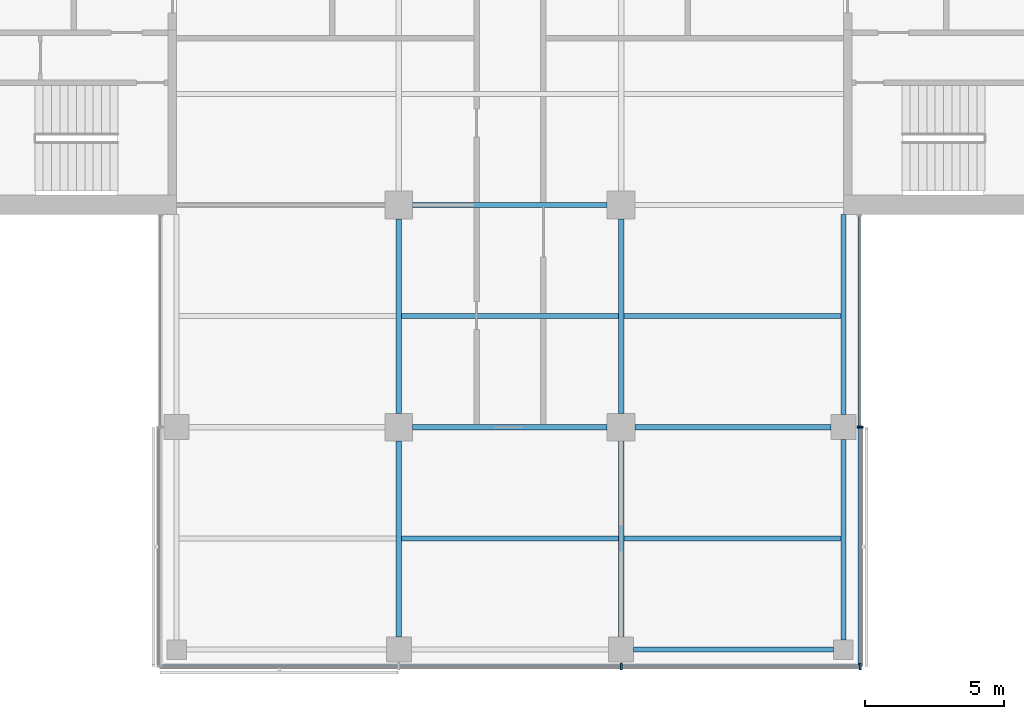
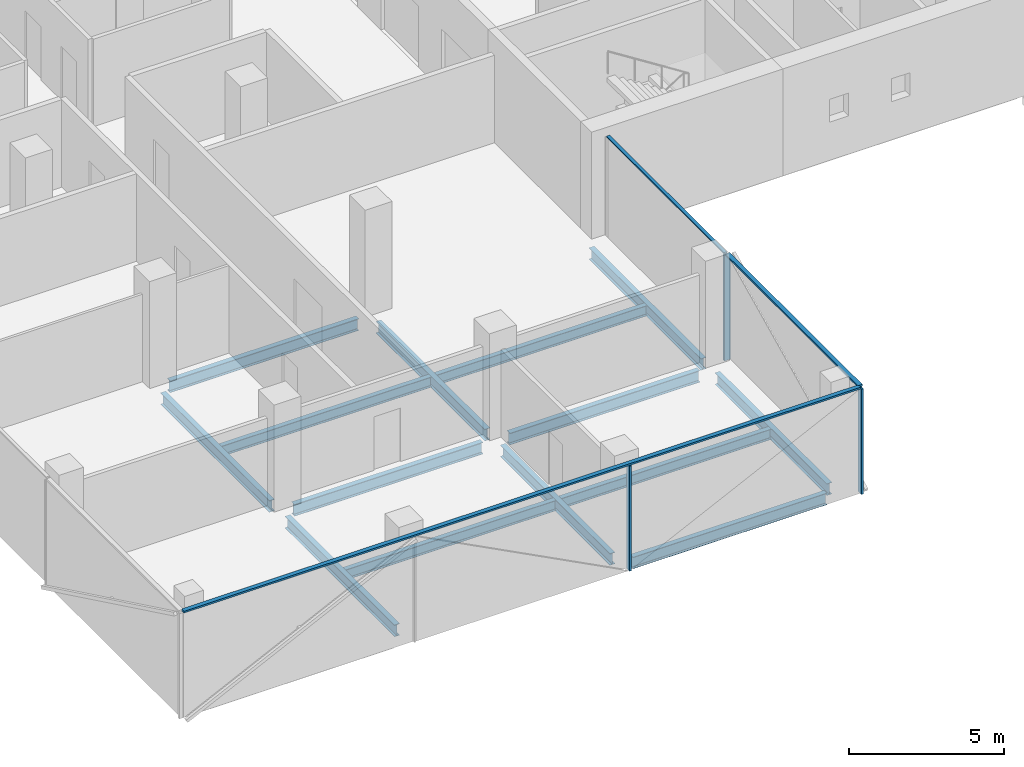
# One storey, part 5 of 22: 14 beams, 7 members, 3 elements without a shape of their own.
"""IFC4 building model written with IfcOpenShell, lengths in metres."""

from ifc_helpers import new_model, si_unit, direction, frame, origin, origin_2d, place, context, subcontext, project, spatial, rectangle, i_section, extrude, material, material_profile, profile_set, type_object, element, aggregate, save


model = new_model("IFC4")

# Units and contexts
model_context = context("Model", 3, precision=1e-05, world=origin(), true_north=direction((0.0, 1.0)))
body_context = subcontext(model_context, "Body", "Model", "MODEL_VIEW")
ifc_project = project(units=[si_unit("LENGTHUNIT", "METRE"), si_unit("AREAUNIT", "SQUARE_METRE"), si_unit("VOLUMEUNIT", "CUBIC_METRE"), si_unit("PLANEANGLEUNIT", "RADIAN"), si_unit("MASSUNIT", "GRAM", prefix="KILO")], contexts=[model_context])

# Site, building, storey
site_placement = place(None, origin())
site = spatial("IfcSite", under=ifc_project, at=site_placement, CompositionType="ELEMENT")
building_placement = place(site_placement, origin())
building = spatial("IfcBuilding", under=site, at=building_placement, Name="Crosswind Convention Tower", CompositionType="ELEMENT")
storey_placement = place(building_placement, frame((0.0, 0.0, 150.5)))
storey = spatial("IfcBuildingStorey", under=building, at=storey_placement, Name="L31", CompositionType="ELEMENT", Elevation=150.5)

# Beams
ifc_material_1 = material(Name="Steel S355", Category="steel")
ifc_material_profile_1 = material_profile(ifc_material_1, i_section(OverallWidth=0.18994140625, OverallDepth=0.45361328125, WebThickness=0.008544921875, FlangeThickness=0.0126953125, FilletRadius=0.01025390625, at=origin_2d()), Name="UB 457x191x67")
ifc_profile_set_1 = profile_set([ifc_material_profile_1], Name="Steel S355")
beam_type_1 = type_object("IfcBeamType", Name="Edge beam UB 457x191x67", PredefinedType="SPANDREL", material=ifc_profile_set_1)
for number, where, z_axis, x_axis, name in (
    (1, (129.449951171875, 72.0, -0.52685546875), (1.0, 0.0, 0.0), (0.0, 1.0, 0.0), "B16 L31 edge beam 14"),
    (2, (137.0, 72.35009765625, -0.52685546875), (0.0, 1.0, 0.0), (-1.0, 0.0, 0.0), "B16 L31 edge beam 16"),
    (3, (137.0, 80.449951171875, -0.52685546875), (0.0, 1.0, 0.0), (-1.0, 0.0, 0.0), "B16 L31 edge beam 17"),
):
    element("IfcBeam", number, at=place(storey_placement, frame(where, z_axis=z_axis, x_axis=x_axis)), inside=storey, type_object=beam_type_1, Name=name, PredefinedType="SPANDREL", context=body_context, shape_type="SweptSolid", body=[
        extrude(i_section(OverallWidth=0.18994140625, OverallDepth=0.45361328125, WebThickness=0.008544921875, FlangeThickness=0.0126953125, FilletRadius=0.01025390625, at=origin_2d()), origin(), (0.0, 0.0, 1.0), 7.199951171875),
    ])
ifc_material_profile_2 = material_profile(ifc_material_1, i_section(OverallWidth=0.19140625, OverallDepth=0.460205078125, WebThickness=0.010009765625, FlangeThickness=0.01611328125, FilletRadius=0.01025390625, at=origin_2d()), Name="UB 457x191x82")
ifc_profile_set_2 = profile_set([ifc_material_profile_2], Name="Steel S355")
beam_type_2 = type_object("IfcBeamType", Name="Girder UB 457x191x82", PredefinedType="BEAM", material=ifc_profile_set_2)
beam_1_placement = place(storey_placement, frame((121.0, 72.449951171875, -0.530029296875), z_axis=(0.0, 1.0, 0.0), x_axis=(-1.0, 0.0, 0.0)))
element("IfcBeam", 4, at=beam_1_placement, inside=storey, type_object=beam_type_2, Name="B3 L31 girder 3", PredefinedType="BEAM", context=body_context, shape_type="SweptSolid", body=[
    extrude(i_section(OverallWidth=0.19140625, OverallDepth=0.460205078125, WebThickness=0.010009765625, FlangeThickness=0.01611328125, FilletRadius=0.01025390625, at=origin_2d()), origin(), (0.0, 0.0, 1.0), 7.050048828125),
])
for number, where, z_axis, x_axis, name in (
    (5, (121.0, 80.5, -0.530029296875), (0.0, 1.0, 0.0), (-1.0, 0.0, 0.0), "B3 L31 girder 4"),
    (6, (121.5, 80.0, -0.530029296875), (1.0, 0.0, 0.0), (0.0, 1.0, 0.0), "B3 L31 girder 10"),
    (7, (121.5, 88.0, -0.530029296875), (1.0, 0.0, 0.0), (0.0, 1.0, 0.0), "B3 L31 girder 11"),
):
    element("IfcBeam", number, at=place(storey_placement, frame(where, z_axis=z_axis, x_axis=x_axis)), inside=storey, type_object=beam_type_2, Name=name, PredefinedType="BEAM", context=body_context, shape_type="SweptSolid", body=[
        extrude(i_section(OverallWidth=0.19140625, OverallDepth=0.460205078125, WebThickness=0.010009765625, FlangeThickness=0.01611328125, FilletRadius=0.01025390625, at=origin_2d()), origin(), (0.0, 0.0, 1.0), 7.0),
    ])
beam_2_placement = place(storey_placement, frame((129.0, 72.449951171875, -0.530029296875), z_axis=(0.0, 1.0, 0.0), x_axis=(-1.0, 0.0, 0.0)))
element("IfcBeam", 8, at=beam_2_placement, inside=storey, type_object=beam_type_2, Name="B3 L31 girder 16", PredefinedType="BEAM", context=body_context, shape_type="SweptSolid", body=[
    extrude(i_section(OverallWidth=0.19140625, OverallDepth=0.460205078125, WebThickness=0.010009765625, FlangeThickness=0.01611328125, FilletRadius=0.01025390625, at=origin_2d()), origin(), (0.0, 0.0, 1.0), 7.050048828125),
])
beam_3_placement = place(storey_placement, frame((129.0, 80.5, -0.530029296875), z_axis=(0.0, 1.0, 0.0), x_axis=(-1.0, 0.0, 0.0)))
element("IfcBeam", 9, at=beam_3_placement, inside=storey, type_object=beam_type_2, Name="B3 L31 girder 17", PredefinedType="BEAM", context=body_context, shape_type="SweptSolid", body=[
    extrude(i_section(OverallWidth=0.19140625, OverallDepth=0.460205078125, WebThickness=0.010009765625, FlangeThickness=0.01611328125, FilletRadius=0.01025390625, at=origin_2d()), origin(), (0.0, 0.0, 1.0), 7.0),
])
beam_4_placement = place(storey_placement, frame((129.5, 80.0, -0.530029296875), z_axis=(1.0, 0.0, 0.0), x_axis=(0.0, 1.0, 0.0)))
element("IfcBeam", 10, at=beam_4_placement, inside=storey, type_object=beam_type_2, Name="B3 L31 girder 23", PredefinedType="BEAM", context=body_context, shape_type="SweptSolid", body=[
    extrude(i_section(OverallWidth=0.19140625, OverallDepth=0.460205078125, WebThickness=0.010009765625, FlangeThickness=0.01611328125, FilletRadius=0.01025390625, at=origin_2d()), origin(), (0.0, 0.0, 1.0), 7.050048828125),
])

# Curtain wall, member
ifc_material_2 = material(Name="Aluminium unitised curtain wall", Category="aluminium")
curtain_wall_type_1 = type_object("IfcCurtainWallType", Name="CORE END SLOT WALL 160", PredefinedType="USERDEFINED", material=ifc_material_2)
curtain_wall_1_placement = place(storey_placement, origin())
curtain_wall_1 = element("IfcCurtainWall", 11, at=curtain_wall_1_placement, inside=storey, type_object=curtain_wall_type_1, Name="CW6 L31 S-E.1-2 slot", ObjectType="UNITISED", PredefinedType="USERDEFINED")
ifc_material_3 = material(Name="Aluminium mullion", Category="aluminium")
ifc_material_profile_3 = material_profile(ifc_material_3, rectangle(XDim=0.159912109375, YDim=0.050048828125, at=origin_2d()), Name="AL 160X50")
ifc_profile_set_3 = profile_set([ifc_material_profile_3], Name="Aluminium mullion")
member_type_1 = type_object("IfcMemberType", Name="MULLION 50X160", PredefinedType="MULLION", material=ifc_profile_set_3)
member_1_placement = place(storey_placement, frame((137.580078125, 80.02490234375, -0.300048828125), z_axis=(0.0, 0.0, 1.0), x_axis=(1.0, 0.0, 0.0)))
member_1 = element("IfcMember", 12, at=member_1_placement, type_object=member_type_1, Name="CW6 mullion 1", PredefinedType="MULLION", context=body_context, shape_type="SweptSolid", body=[
    extrude(rectangle(XDim=0.159912109375, YDim=0.050048828125, at=origin_2d()), origin(), (0.0, 0.0, 1.0), 4.150146484375),
])

# Curtain wall, members
curtain_wall_type_2 = type_object("IfcCurtainWallType", Name="OFFICE UNITISED WALL 220", PredefinedType="USERDEFINED", material=ifc_material_2)
curtain_wall_2_placement = place(storey_placement, origin())
curtain_wall_2 = element("IfcCurtainWall", 13, at=curtain_wall_2_placement, inside=storey, type_object=curtain_wall_type_2, Name="CW3 L31 S-TIP 1", ObjectType="UNITISED", PredefinedType="USERDEFINED")
ifc_material_profile_4 = material_profile(ifc_material_3, rectangle(XDim=0.219970703125, YDim=0.070068359375, at=origin_2d()), Name="AL 220X70")
ifc_profile_set_4 = profile_set([ifc_material_profile_4], Name="Aluminium mullion")
member_type_2 = type_object("IfcMemberType", Name="MULLION 70X220", PredefinedType="MULLION", material=ifc_profile_set_4)
member_2_placement = place(storey_placement, frame((129.0, 71.389892578125, -0.300048828125), z_axis=(0.0, 0.0, 1.0), x_axis=(0.0, -1.0, 0.0)))
member_2 = element("IfcMember", 14, at=member_2_placement, type_object=member_type_2, Name="CW3 mullion 3", PredefinedType="MULLION", context=body_context, shape_type="SweptSolid", body=[
    extrude(rectangle(XDim=0.219970703125, YDim=0.070068359375, at=origin_2d()), origin(), (0.0, 0.0, 1.0), 4.130126953125),
])
member_3_placement = place(storey_placement, frame((137.610107421875, 71.389892578125, -0.300048828125), z_axis=(0.0, 0.0, 1.0), x_axis=(0.0, -1.0, 0.0)))
member_3 = element("IfcMember", 15, at=member_3_placement, type_object=member_type_2, Name="CW3 mullion 4", PredefinedType="MULLION", context=body_context, shape_type="SweptSolid", body=[
    extrude(rectangle(XDim=0.219970703125, YDim=0.070068359375, at=origin_2d()), origin(), (0.0, 0.0, 1.0), 4.130126953125),
])

# Curtain wall, member
curtain_wall_3_placement = place(storey_placement, origin())
curtain_wall_3 = element("IfcCurtainWall", 16, at=curtain_wall_3_placement, inside=storey, type_object=curtain_wall_type_2, Name="CW3 L31 S-E 1", ObjectType="UNITISED", PredefinedType="USERDEFINED")
member_4_placement = place(storey_placement, frame((137.610107421875, 80.0, -0.300048828125), z_axis=(0.0, 0.0, 1.0), x_axis=(1.0, 0.0, 0.0)))
member_4 = element("IfcMember", 17, at=member_4_placement, type_object=member_type_2, Name="CW3 mullion 2", PredefinedType="MULLION", context=body_context, shape_type="SweptSolid", body=[
    extrude(rectangle(XDim=0.219970703125, YDim=0.070068359375, at=origin_2d()), origin(), (0.0, 0.0, 1.0), 4.130126953125),
])

# Beams
ifc_material_profile_5 = material_profile(ifc_material_1, i_section(OverallWidth=0.177734375, OverallDepth=0.406494140625, WebThickness=0.0078125, FlangeThickness=0.0126953125, FilletRadius=0.01025390625, at=origin_2d()), Name="UB 406x178x60")
ifc_profile_set_5 = profile_set([ifc_material_profile_5], Name="Steel S355")
beam_type_3 = type_object("IfcBeamType", Name="Secondary beam UB 406x178x60", PredefinedType="JOIST", material=ifc_profile_set_5)
for number, where, z_axis, x_axis, name in (
    (18, (121.095703125, 76.0, -0.503173828125), (1.0, 0.0, 0.0), (0.0, 1.0, 0.0), "B10 L31 secondary beam 11"),
    (19, (121.095703125, 84.0, -0.503173828125), (1.0, 0.0, 0.0), (0.0, 1.0, 0.0), "B10 L31 secondary beam 12"),
):
    element("IfcBeam", number, at=place(storey_placement, frame(where, z_axis=z_axis, x_axis=x_axis)), inside=storey, type_object=beam_type_3, Name=name, PredefinedType="JOIST", context=body_context, shape_type="SweptSolid", body=[
        extrude(i_section(OverallWidth=0.177734375, OverallDepth=0.406494140625, WebThickness=0.0078125, FlangeThickness=0.0126953125, FilletRadius=0.01025390625, at=origin_2d()), origin(), (0.0, 0.0, 1.0), 7.80859375),
    ])
for number, where, z_axis, x_axis, name in (
    (20, (129.095703125, 76.0, -0.503173828125), (1.0, 0.0, 0.0), (0.0, 1.0, 0.0), "B10 L31 secondary beam 18"),
    (21, (129.095703125, 84.0, -0.503173828125), (1.0, 0.0, 0.0), (0.0, 1.0, 0.0), "B10 L31 secondary beam 19"),
):
    element("IfcBeam", number, at=place(storey_placement, frame(where, z_axis=z_axis, x_axis=x_axis)), inside=storey, type_object=beam_type_3, Name=name, PredefinedType="JOIST", context=body_context, shape_type="SweptSolid", body=[
        extrude(i_section(OverallWidth=0.177734375, OverallDepth=0.406494140625, WebThickness=0.0078125, FlangeThickness=0.0126953125, FilletRadius=0.01025390625, at=origin_2d()), origin(), (0.0, 0.0, 1.0), 7.809326171875),
    ])

# Member
ifc_material_4 = material(Name="Aluminium transom", Category="aluminium")
ifc_material_profile_6 = material_profile(ifc_material_4, rectangle(XDim=0.1201171875, YDim=0.050048828125, at=origin_2d()), Name="AL 120X50")
ifc_profile_set_6 = profile_set([ifc_material_profile_6], Name="Aluminium transom")
member_type_3 = type_object("IfcMemberType", Name="TRANSOM 50X120", PredefinedType="USERDEFINED", material=ifc_profile_set_6)
member_5_placement = place(storey_placement, frame((137.580078125, 80.050048828125, 3.875), z_axis=(0.0, 1.0, 0.0), x_axis=(-1.0, 0.0, 0.0)))
member_5 = element("IfcMember", 22, at=member_5_placement, type_object=member_type_3, Name="CW6 transom", ObjectType="TRANSOM", PredefinedType="USERDEFINED", context=body_context, shape_type="SweptSolid", body=[
    extrude(rectangle(XDim=0.1201171875, YDim=0.050048828125, at=origin_2d()), origin(), (0.0, 0.0, 1.0), 7.550048828125),
])

aggregate(curtain_wall_1, [member_1, member_5])

ifc_material_profile_7 = material_profile(ifc_material_4, rectangle(XDim=0.159912109375, YDim=0.070068359375, at=origin_2d()), Name="AL 160X70")
ifc_profile_set_7 = profile_set([ifc_material_profile_7], Name="Aluminium transom")
member_type_4 = type_object("IfcMemberType", Name="TRANSOM 70X160", PredefinedType="USERDEFINED", material=ifc_profile_set_7)
member_6_placement = place(storey_placement, frame((112.425048828125, 71.389892578125, 3.864990234375), z_axis=(1.0, 0.0, 0.0), x_axis=(0.0, 1.0, 0.0)))
member_6 = element("IfcMember", 23, at=member_6_placement, type_object=member_type_4, Name="CW3 transom", ObjectType="TRANSOM", PredefinedType="USERDEFINED", context=body_context, shape_type="SweptSolid", body=[
    extrude(rectangle(XDim=0.159912109375, YDim=0.070068359375, at=origin_2d()), origin(), (0.0, 0.0, 1.0), 25.14990234375),
])

aggregate(curtain_wall_2, [member_2, member_3, member_6])

member_7_placement = place(storey_placement, frame((137.610107421875, 71.425048828125, 3.864990234375), z_axis=(0.0, 1.0, 0.0), x_axis=(-1.0, 0.0, 0.0)))
member_7 = element("IfcMember", 24, at=member_7_placement, type_object=member_type_4, Name="CW3 transom", ObjectType="TRANSOM", PredefinedType="USERDEFINED", context=body_context, shape_type="SweptSolid", body=[
    extrude(rectangle(XDim=0.159912109375, YDim=0.070068359375, at=origin_2d()), origin(), (0.0, 0.0, 1.0), 8.5400390625),
])

aggregate(curtain_wall_3, [member_4, member_7])

save(model, "model.ifc")
